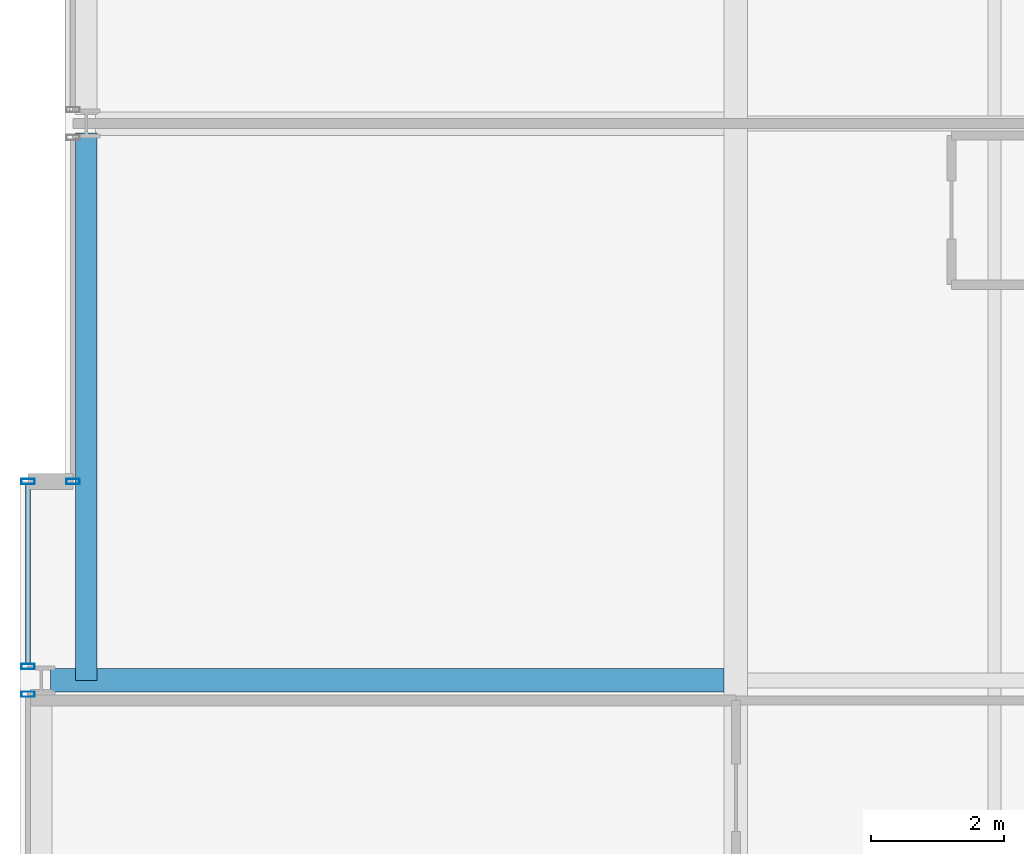
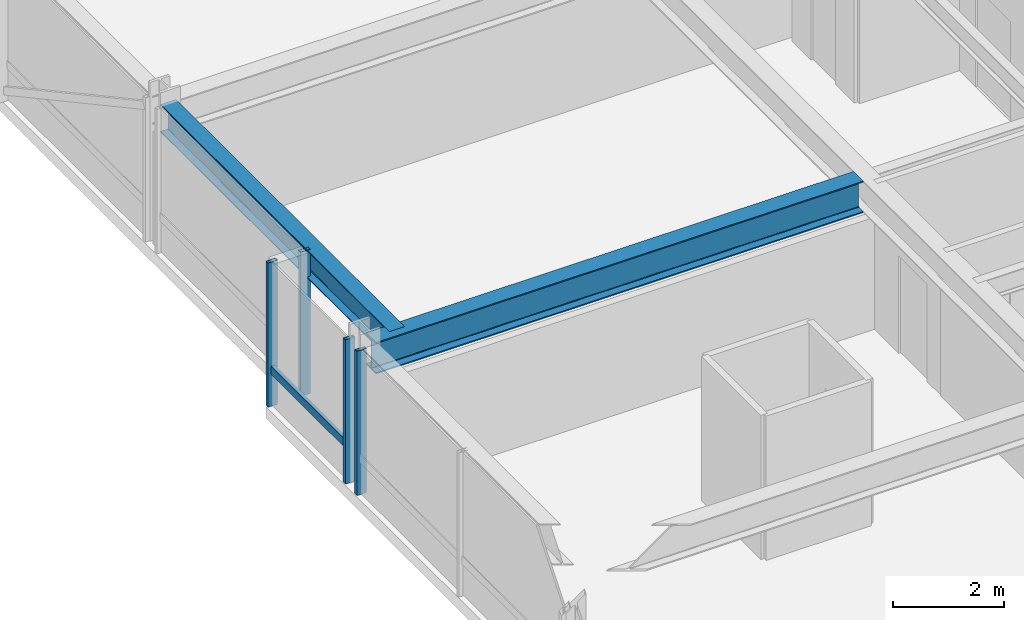
# One storey, part 7 of 35: 5 members, 2 beams, 3 elements without a shape of their own.
"""IFC4 building model written with IfcOpenShell, lengths in metres."""

import ifcopenshell
import ifcopenshell.guid

model = None  # the IFC model being written
_history = None  # IfcOwnerHistory: only IFC2X3 demands one
_inside = {}  # id of a spatial element -> (the spatial element, [elements in it])
_under = {}  # id of a project, library or spatial element -> (it, [spatial elements below it])
_declared = {}  # id of a project -> (the project, [libraries it declares])
_typed = {}  # id of a type object -> (the type object, [elements of that type])
_made_of = {}  # id of a material, layer set ... -> (it, [elements and type objects made of it])


def new_model(schema):
    """Start an empty IFC model of exactly this schema.

    Asked for "IFC4X3", IfcOpenShell would pick the latest addendum, in which some entities
    have other attributes; the version numbers below select the first issue.
    IFC2X3 requires an IfcOwnerHistory on every rooted entity: one is made here for all.
    """
    global model, _history
    if schema == "IFC4X3":
        model = ifcopenshell.file(schema_version=(4, 3, 0, 0))
    else:
        model = ifcopenshell.file(schema=schema)
    _inside.clear()
    _under.clear()
    _declared.clear()
    _typed.clear()
    _made_of.clear()
    _history = None
    if model.schema == "IFC2X3":
        org = make("IfcOrganization", Name="unknown")
        user = make(
            "IfcPersonAndOrganization",
            ThePerson=make("IfcPerson", FamilyName="unknown"),
            TheOrganization=org,
        )
        app = make(
            "IfcApplication",
            ApplicationDeveloper=org,
            Version="unknown",
            ApplicationFullName="unknown",
            ApplicationIdentifier="unknown",
        )
        _history = make(
            "IfcOwnerHistory",
            OwningUser=user,
            OwningApplication=app,
            ChangeAction="ADDED",
            CreationDate=0,
        )
    return model


def make(cls, **values):
    """One entity of the class cls with the attributes given. An attribute that is None is left unset."""
    return model.create_entity(
        cls, **{name: value for name, value in values.items() if value is not None}
    )


def rooted(cls, **values):
    """An entity with a GlobalId (a new one), such as an element, a storey or a relation."""
    return make(cls, GlobalId=ifcopenshell.guid.new(), OwnerHistory=_history, **values)


def si_unit(unit_type, name, prefix=None):
    """IfcSIUnit, for example si_unit("LENGTHUNIT", "METRE", prefix="MILLI")."""
    return make("IfcSIUnit", UnitType=unit_type, Prefix=prefix, Name=name)


def assignment(units):
    """IfcUnitAssignment: the units of a project."""
    return None if units is None else make("IfcUnitAssignment", Units=units)


def point(xyz):
    """IfcCartesianPoint."""
    return None if xyz is None else make("IfcCartesianPoint", Coordinates=xyz)


def direction(xyz):
    """IfcDirection."""
    return None if xyz is None else make("IfcDirection", DirectionRatios=xyz)


def frame(location, z_axis=None, x_axis=None):
    """IfcAxis2Placement3D, a coordinate frame: its origin and axes. An axis left out is left unset."""
    return make(
        "IfcAxis2Placement3D",
        Location=point(location),
        Axis=direction(z_axis),
        RefDirection=direction(x_axis),
    )


def frame_2d(location, x_axis=None):
    """IfcAxis2Placement2D, a coordinate frame in the plane: its origin and x axis."""
    return make(
        "IfcAxis2Placement2D", Location=point(location), RefDirection=direction(x_axis)
    )


def origin():
    """The frame at (0, 0, 0) with its axes left unset."""
    return frame((0.0, 0.0, 0.0))


def origin_2d():
    """The frame at (0, 0) in the plane with its x axis left unset."""
    return frame_2d((0.0, 0.0))


def place(relative_to, where):
    """IfcLocalPlacement: puts the frame where relative to a parent placement (None: the world)."""
    return make(
        "IfcLocalPlacement", PlacementRelTo=relative_to, RelativePlacement=where
    )


def context(
    kind, dimensions, precision=None, world=None, true_north=None, identifier=None
):
    """IfcGeometricRepresentationContext, for example the 3D "Model" context."""
    return make(
        "IfcGeometricRepresentationContext",
        ContextIdentifier=identifier,
        ContextType=kind,
        CoordinateSpaceDimension=dimensions,
        Precision=precision,
        WorldCoordinateSystem=world,
        TrueNorth=true_north,
    )


def subcontext(parent, identifier, kind, view, scale=None):
    """IfcGeometricRepresentationSubContext, for example "Body" below "Model"."""
    return make(
        "IfcGeometricRepresentationSubContext",
        ContextIdentifier=identifier,
        ContextType=kind,
        ParentContext=parent,
        TargetScale=scale,
        TargetView=view,
    )


def project(units=None, contexts=None):
    """IfcProject with its units and contexts."""
    return rooted(
        "IfcProject",
        Name="project",
        RepresentationContexts=contexts,
        UnitsInContext=assignment(units),
    )


def spatial(cls, under=None, at=None, **own):
    """A site, building, storey or space (cls), placed at a placement, below another one or the project."""
    s = rooted(cls, ObjectPlacement=at, **own)
    if under is not None:
        _under.setdefault(under.id(), (under, []))[1].append(s)
    return s


def profile(cls, at=None, kind="AREA", **sizes):
    """A parametric profile (cls). Its sizes go by their IFC names, for example OverallWidth=200.0."""
    return make(cls, ProfileType=kind, Position=at, **sizes)


def hollow_rectangle(**sizes):
    """IfcRectangleHollowProfileDef."""
    return profile("IfcRectangleHollowProfileDef", **sizes)


def i_section(**sizes):
    """IfcIShapeProfileDef."""
    return profile("IfcIShapeProfileDef", **sizes)


def extrude(swept, where, along, depth):
    """IfcExtrudedAreaSolid: the profile swept, set in the frame where, extruded along a direction by depth."""
    return make(
        "IfcExtrudedAreaSolid",
        SweptArea=swept,
        Position=where,
        ExtrudedDirection=direction(along),
        Depth=depth,
    )


def shape(context_of_items, identifier, shape_type, items):
    """IfcShapeRepresentation: the items that make up one representation, for example the "Body"."""
    return make(
        "IfcShapeRepresentation",
        ContextOfItems=context_of_items,
        RepresentationIdentifier=identifier,
        RepresentationType=shape_type,
        Items=items,
    )


def material(Name=None, Category=None):
    """IfcMaterial."""
    return make("IfcMaterial", Name=Name, Category=Category)


def layer(
    of_material, thickness, ventilated=None, Name=None, Category=None, Priority=None
):
    """IfcMaterialLayer: one layer of a wall or slab, of a material (None: an air gap)."""
    return make(
        "IfcMaterialLayer",
        Material=of_material,
        LayerThickness=thickness,
        IsVentilated=ventilated,
        Name=Name,
        Category=Category,
        Priority=Priority,
    )


def layer_set(layers, Name=None):
    """IfcMaterialLayerSet."""
    return make("IfcMaterialLayerSet", MaterialLayers=layers, LayerSetName=Name)


def material_profile(
    of_material, cross_section, Name=None, Category=None, Priority=None
):
    """IfcMaterialProfile: a cross section and its material."""
    return make(
        "IfcMaterialProfile",
        Name=Name,
        Material=of_material,
        Profile=cross_section,
        Priority=Priority,
        Category=Category,
    )


def profile_set(profiles, Name=None, composite=None):
    """IfcMaterialProfileSet."""
    return make(
        "IfcMaterialProfileSet",
        Name=Name,
        MaterialProfiles=profiles,
        CompositeProfile=composite,
    )


def made_of(thing, what):
    """Note that an element or type object is made of a material, layer set ...; save() writes the relation."""
    if what is not None:
        _made_of.setdefault(what.id(), (what, []))[1].append(thing)
    return thing


def type_object(cls, material=None, **own):
    """A type object (cls), such as IfcWallType, which elements share."""
    return made_of(rooted(cls, **own), material)


def element(
    cls,
    number,
    at=None,
    inside=None,
    cuts=None,
    type_object=None,
    material=None,
    context=None,
    identifier="Body",
    shape_type=None,
    held_by="IfcProductDefinitionShape",
    body=None,
    shapes=None,
    **own,
):
    """One element of the class cls, such as IfcWall. Its Tag is "e" and its number.

    at: its placement. inside: the storey or other place that contains it. cuts: it is an
    opening in that element (IfcRelVoidsElement). A single representation is given by context,
    identifier, shape_type and body (its items); several are given by shapes. held_by: the class
    of the entity that holds the representations. save() writes the other relations.
    """
    e = rooted(cls, Tag="e%d" % number, ObjectPlacement=at, **own)
    if body is not None:
        shapes = [shape(context, identifier, shape_type, body)]
    if shapes is not None:
        e.Representation = make(held_by, Representations=shapes)
    if inside is not None:
        _inside.setdefault(inside.id(), (inside, []))[1].append(e)
    if cuts is not None:
        rooted(
            "IfcRelVoidsElement", RelatingBuildingElement=cuts, RelatedOpeningElement=e
        )
    if type_object is not None:
        _typed.setdefault(type_object.id(), (type_object, []))[1].append(e)
    return made_of(e, material)


def aggregate(whole, parts):
    """IfcRelAggregates: a whole, such as a stair, and the parts it consists of."""
    return rooted("IfcRelAggregates", RelatingObject=whole, RelatedObjects=parts)


def save(model, path):
    """Write the relations noted so far, then the file.

    IfcRelAggregates (storeys below a building ...), IfcRelContainedInSpatialStructure (elements
    in a storey), IfcRelDefinesByType, IfcRelAssociatesMaterial and IfcRelDeclares: one each for
    every whole, place, type object, material and project.
    """
    for whole, parts in _under.values():
        aggregate(whole, parts)
    for where, things in _inside.values():
        rooted(
            "IfcRelContainedInSpatialStructure",
            RelatedElements=things,
            RelatingStructure=where,
        )
    for kind, things in _typed.values():
        rooted("IfcRelDefinesByType", RelatedObjects=things, RelatingType=kind)
    for what, things in _made_of.values():
        rooted("IfcRelAssociatesMaterial", RelatedObjects=things, RelatingMaterial=what)
    for by, libraries in _declared.values():
        rooted("IfcRelDeclares", RelatingContext=by, RelatedDefinitions=libraries)
    model.write(path)


model = new_model("IFC4")

# Units and contexts
model_context = context("Model", 3, precision=1e-05, world=origin(), true_north=direction((0.0, 1.0)))
body_context = subcontext(model_context, "Body", "Model", "MODEL_VIEW")
ifc_project = project(units=[si_unit("LENGTHUNIT", "METRE"), si_unit("AREAUNIT", "SQUARE_METRE"), si_unit("VOLUMEUNIT", "CUBIC_METRE"), si_unit("PLANEANGLEUNIT", "RADIAN"), si_unit("MASSUNIT", "GRAM", prefix="KILO")], contexts=[model_context])

# Site, building, storey
site_placement = place(None, origin())
site = spatial("IfcSite", under=ifc_project, at=site_placement, CompositionType="ELEMENT")
building_placement = place(site_placement, origin())
building = spatial("IfcBuilding", under=site, at=building_placement, Name="Drelvath Grand Hotel", CompositionType="ELEMENT")
storey_placement = place(building_placement, frame((0.0, 0.0, 137.300048828125)))
storey = spatial("IfcBuildingStorey", under=building, at=storey_placement, Name="L35", CompositionType="ELEMENT", Elevation=137.300048828125)

# Curtain wall, member
ifc_material_1 = material(Name="Champagne Bronze Anodised Aluminium Frame", Category="aluminium")
ifc_layer = layer(ifc_material_1, 0.199951171875)
ifc_layer_set = layer_set([ifc_layer], Name="Champagne Bronze Anodised Aluminium Frame")
curtain_wall_type = type_object("IfcCurtainWallType", Name="Stick Curtain Wall CW-03 Champagne Bronze Mid-Rise", PredefinedType="NOTDEFINED", material=ifc_layer_set)
curtain_wall_1_placement = place(storey_placement, origin())
curtain_wall_1 = element("IfcCurtainWall", 1, at=curtain_wall_1_placement, inside=storey, type_object=curtain_wall_type, Name="L35 CW-03 Curtain Wall CW03-L35-WS3", PredefinedType="NOTDEFINED")
ifc_material_profile_1 = material_profile(ifc_material_1, hollow_rectangle(XDim=0.074951171875, YDim=0.179931640625, WallThickness=0.0048828125, at=origin_2d()), Name="HSS180X75X5")
ifc_profile_set_1 = profile_set([ifc_material_profile_1], Name="Champagne Bronze Anodised Aluminium Frame")
member_type_1 = type_object("IfcMemberType", Name="Curtain Wall Horizontal Transom CW-03 HSS180X75X5", PredefinedType="USERDEFINED", material=ifc_profile_set_1)
member_1_placement = place(storey_placement, frame((-26.8798828125, 18.849365234375, 0.794921875), z_axis=(0.0, 1.0, 0.0), x_axis=(-1.0, 0.0, 0.0)))
member_1 = element("IfcMember", 2, at=member_1_placement, type_object=member_type_1, Name="CW03-L35-WS3 Sill Transom", ObjectType="TRANSOM", PredefinedType="USERDEFINED", context=body_context, shape_type="SweptSolid", body=[
    extrude(hollow_rectangle(XDim=0.074951171875, YDim=0.179931640625, WallThickness=0.0048828125, at=origin_2d()), origin(), (0.0, 0.0, 1.0), 2.710693359375),
])

curtain_wall_2_placement = place(storey_placement, origin())
curtain_wall_2 = element("IfcCurtainWall", 3, at=curtain_wall_2_placement, inside=storey, type_object=curtain_wall_type, Name="L35 CW-03 Curtain Wall CW03-L35-WS2", PredefinedType="NOTDEFINED")
ifc_material_profile_2 = material_profile(ifc_material_1, hollow_rectangle(XDim=0.080078125, YDim=0.199951171875, WallThickness=0.0048828125, at=origin_2d()), Name="HSS200X80X5")
ifc_profile_set_2 = profile_set([ifc_material_profile_2], Name="Champagne Bronze Anodised Aluminium Frame")
member_type_2 = type_object("IfcMemberType", Name="Curtain Wall Vertical Mullion CW-03 HSS200X80X5", PredefinedType="MULLION", material=ifc_profile_set_2)
member_2_placement = place(storey_placement, frame((-26.8798828125, 18.390625, 0.0), z_axis=(0.0, 0.0, 1.0), x_axis=(0.0, 1.0, 0.0)))
member_2 = element("IfcMember", 4, at=member_2_placement, type_object=member_type_2, Name="CW03-L35-WS2 Mullion 3", PredefinedType="MULLION", context=body_context, shape_type="SweptSolid", body=[
    extrude(hollow_rectangle(XDim=0.080078125, YDim=0.199951171875, WallThickness=0.0048828125, at=origin_2d()), origin(), (0.0, 0.0, 1.0), 3.179931640625),
])
aggregate(curtain_wall_2, [member_2])

# Member
member_3_placement = place(storey_placement, frame((-26.8798828125, 18.809326171875, 0.0), z_axis=(0.0, 0.0, 1.0), x_axis=(0.0, 1.0, 0.0)))
member_3 = element("IfcMember", 5, at=member_3_placement, type_object=member_type_2, Name="CW03-L35-WS3 Mullion 1", PredefinedType="MULLION", context=body_context, shape_type="SweptSolid", body=[
    extrude(hollow_rectangle(XDim=0.080078125, YDim=0.199951171875, WallThickness=0.0048828125, at=origin_2d()), origin(), (0.0, 0.0, 1.0), 3.179931640625),
])

member_4_placement = place(storey_placement, frame((-26.8798828125, 21.60009765625, 0.0), z_axis=(0.0, 0.0, 1.0), x_axis=(0.0, 1.0, 0.0)))
member_4 = element("IfcMember", 6, at=member_4_placement, type_object=member_type_2, Name="CW03-L35-WS3 Mullion 2", PredefinedType="MULLION", context=body_context, shape_type="SweptSolid", body=[
    extrude(hollow_rectangle(XDim=0.080078125, YDim=0.199951171875, WallThickness=0.0048828125, at=origin_2d()), origin(), (0.0, 0.0, 1.0), 3.179931640625),
])

aggregate(curtain_wall_1, [member_3, member_4, member_1])

# Curtain wall, member
curtain_wall_3_placement = place(storey_placement, origin())
curtain_wall_3 = element("IfcCurtainWall", 7, at=curtain_wall_3_placement, inside=storey, type_object=curtain_wall_type, Name="L35 CW-03 Curtain Wall CW03-L35-WM1", PredefinedType="NOTDEFINED")
member_5_placement = place(storey_placement, frame((-26.199951171875, 21.60009765625, 0.0), z_axis=(0.0, 0.0, 1.0), x_axis=(0.0, 1.0, 0.0)))
member_5 = element("IfcMember", 8, at=member_5_placement, type_object=member_type_2, Name="CW03-L35-WM1 Mullion 1", PredefinedType="MULLION", context=body_context, shape_type="SweptSolid", body=[
    extrude(hollow_rectangle(XDim=0.080078125, YDim=0.199951171875, WallThickness=0.0048828125, at=origin_2d()), origin(), (0.0, 0.0, 1.0), 3.179931640625),
])
aggregate(curtain_wall_3, [member_5])

# Beams
ifc_material_2 = material(Name="Steel ASTM A992 Gr 50", Category="steel")
ifc_material_profile_3 = material_profile(ifc_material_2, i_section(OverallWidth=0.323974609375, OverallDepth=0.611083984375, WebThickness=0.0126953125, FlangeThickness=0.01904296875, FilletRadius=0.02197265625, at=origin_2d()), Name="W24X104")
ifc_profile_set_3 = profile_set([ifc_material_profile_3], Name="Steel ASTM A992 Gr 50")
beam_type_1 = type_object("IfcBeamType", Name="Perimeter Spandrel Beam W24X104", PredefinedType="SPANDREL", material=ifc_profile_set_3)
beam_1_placement = place(storey_placement, frame((-26.0, 18.60009765625, 2.874267578125), z_axis=(0.0, 1.0, 0.0), x_axis=(-1.0, 0.0, 0.0)))
element("IfcBeam", 9, at=beam_1_placement, inside=storey, type_object=beam_type_1, Name="L35 Spandrel West Mid S", PredefinedType="SPANDREL", context=body_context, shape_type="SweptSolid", body=[
    extrude(i_section(OverallWidth=0.323974609375, OverallDepth=0.611083984375, WebThickness=0.0126953125, FlangeThickness=0.01904296875, FilletRadius=0.02197265625, at=origin_2d()), origin(), (0.0, 0.0, 1.0), 8.260009765625),
])
ifc_material_profile_4 = material_profile(ifc_material_2, i_section(OverallWidth=0.354736328125, OverallDepth=0.695556640625, WebThickness=0.015380859375, FlangeThickness=0.025146484375, FilletRadius=0.02392578125, at=origin_2d()), Name="W27X146")
ifc_profile_set_4 = profile_set([ifc_material_profile_4], Name="Steel ASTM A992 Gr 50")
beam_type_2 = type_object("IfcBeamType", Name="Primary Floor Girder W27X146", PredefinedType="BEAM", material=ifc_profile_set_4)
beam_2_placement = place(storey_placement, frame((-26.5400390625, 18.60009765625, 2.83203125), z_axis=(1.0, 0.0, 0.0), x_axis=(0.0, 1.0, 0.0)))
element("IfcBeam", 10, at=beam_2_placement, inside=storey, type_object=beam_type_2, Name="L35 West Wing Girder D", PredefinedType="BEAM", context=body_context, shape_type="SweptSolid", body=[
    extrude(i_section(OverallWidth=0.354736328125, OverallDepth=0.695556640625, WebThickness=0.015380859375, FlangeThickness=0.025146484375, FilletRadius=0.02392578125, at=origin_2d()), origin(), (0.0, 0.0, 1.0), 10.16259765625),
])

save(model, "model.ifc")
